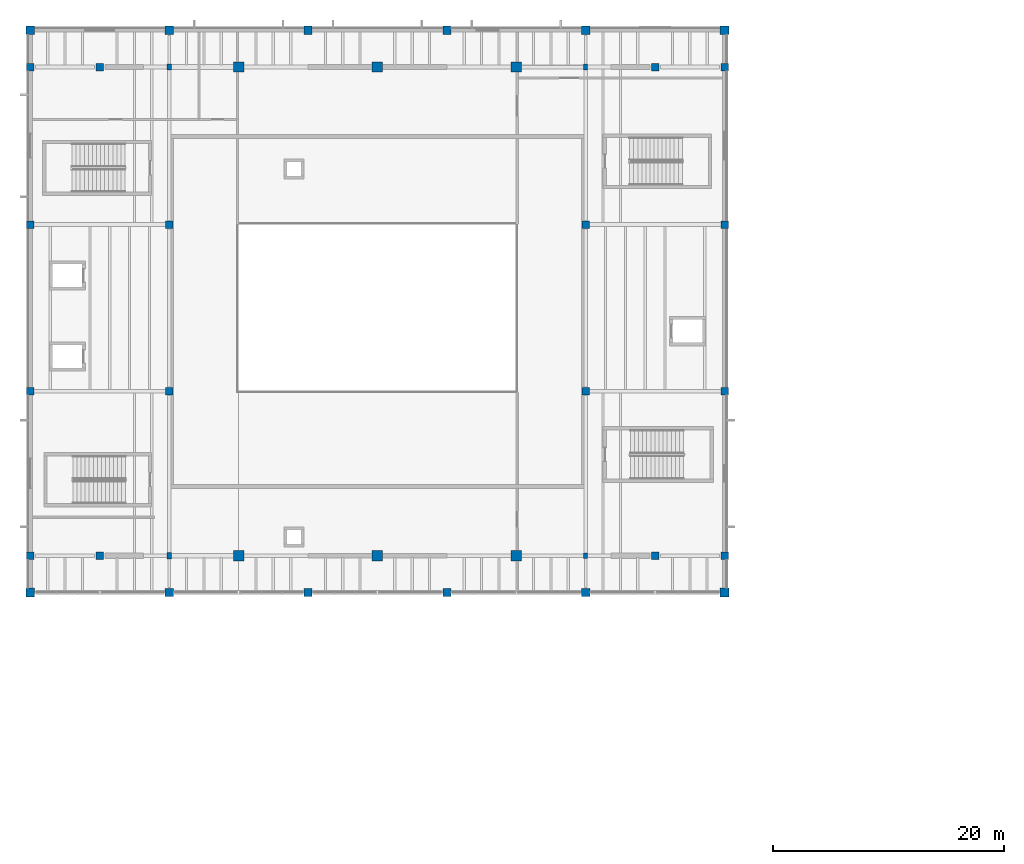
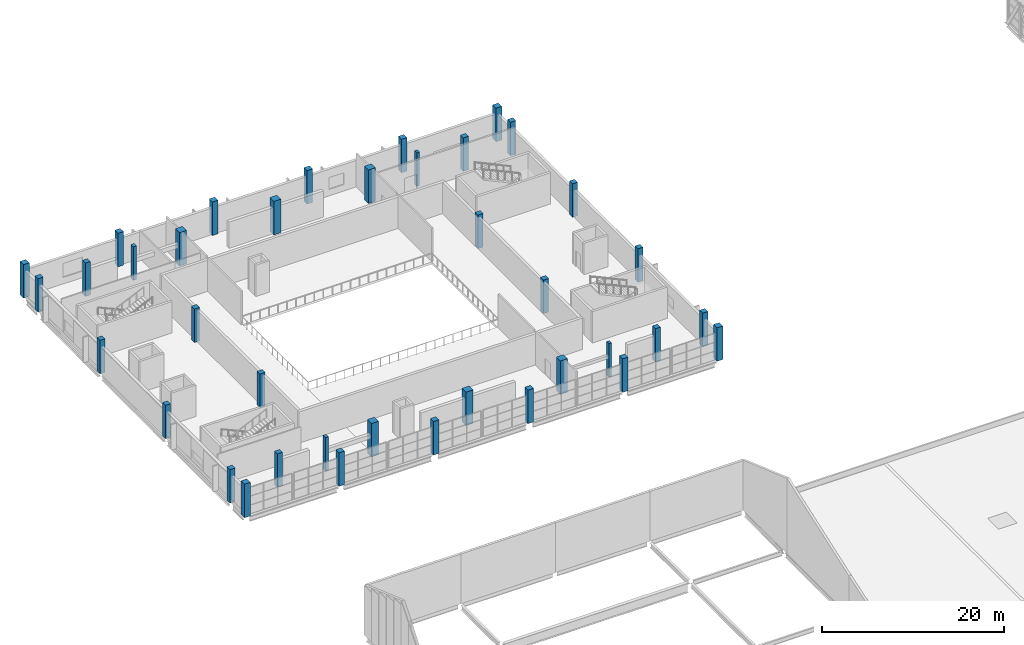
# One storey, part 2 of 63: 38 columns.
"""IFC4 building model written with IfcOpenShell, lengths in metres."""

from ifc_helpers import new_model, si_unit, direction, frame, origin, origin_2d, place, context, subcontext, project, spatial, rectangle, extrude, material, material_profile, profile_set, type_object, element, save


model = new_model("IFC4")

# Units and contexts
model_context = context("Model", 3, precision=1e-05, world=origin(), true_north=direction((0.0, 1.0)))
body_context = subcontext(model_context, "Body", "Model", "MODEL_VIEW")
ifc_project = project(units=[si_unit("LENGTHUNIT", "METRE"), si_unit("AREAUNIT", "SQUARE_METRE"), si_unit("VOLUMEUNIT", "CUBIC_METRE"), si_unit("PLANEANGLEUNIT", "RADIAN"), si_unit("MASSUNIT", "GRAM", prefix="KILO")], contexts=[model_context])

# Site, building, storey
site_placement = place(None, origin())
site = spatial("IfcSite", under=ifc_project, at=site_placement, CompositionType="ELEMENT")
building_placement = place(site_placement, origin())
building = spatial("IfcBuilding", under=site, at=building_placement, Name="Kelmvaro Bay Concert Hall", CompositionType="ELEMENT")
storey_placement = place(building_placement, frame((0.0, 0.0, 13.800048828125)))
storey = spatial("IfcBuildingStorey", under=building, at=storey_placement, Name="L03", CompositionType="ELEMENT", Elevation=13.800048828125)

# Columns
ifc_material_1 = material(Name="Concrete C40/50", Category="concrete")
ifc_material_profile_1 = material_profile(ifc_material_1, rectangle(XDim=0.39990234375, YDim=0.550048828125, at=origin_2d()), Name="RC-PIL-550X400")
ifc_profile_set_1 = profile_set([ifc_material_profile_1], Name="Concrete C40/50")
column_type_1 = type_object("IfcColumnType", Name="Foyer Acoustic Pilaster RC550x400", PredefinedType="PILASTER", material=ifc_profile_set_1)
for number, where, z_axis, x_axis, name in (
    (1, (12.0, 68.580078125, 0.0), (0.0, 0.0, 1.0), (1.0, 0.0, 0.0), "L03 Pilaster PIL-IB-12-6858"),
    (2, (12.0, 110.820068359375, 0.0), (0.0, 0.0, 1.0), (1.0, 0.0, 0.0), "L03 Pilaster PIL-IB-12-11082"),
):
    element("IfcColumn", number, at=place(storey_placement, frame(where, z_axis=z_axis, x_axis=x_axis)), inside=storey, type_object=column_type_1, Name=name, PredefinedType="PILASTER", context=body_context, shape_type="SweptSolid", body=[
        extrude(rectangle(XDim=0.39990234375, YDim=0.550048828125, at=origin_2d()), origin(), (0.0, 0.0, 1.0), 4.5),
    ])
ifc_material_2 = material(Name="Concrete C40/50", Category="concrete")
ifc_material_profile_2 = material_profile(ifc_material_2, rectangle(XDim=0.89990234375, YDim=0.89990234375, at=origin_2d()), Name="RC-COL-900X900")
ifc_profile_set_2 = profile_set([ifc_material_profile_2], Name="Concrete C40/50")
column_type_2 = type_object("IfcColumnType", Name="Hall Pier Column RC900x900", PredefinedType="COLUMN", material=ifc_profile_set_2)
for number, where, z_axis, x_axis, name in (
    (3, (18.0, 68.580078125, 0.0), (0.0, 0.0, 1.0), (1.0, 0.0, 0.0), "L03 Column V1S-18-6858"),
    (4, (18.0, 110.820068359375, 0.0), (0.0, 0.0, 1.0), (1.0, 0.0, 0.0), "L03 Column V1S-18-11082"),
    (5, (30.0, 68.580078125, 0.0), (0.0, 0.0, 1.0), (1.0, 0.0, 0.0), "L03 Column V1S-30-6858"),
    (6, (30.0, 110.820068359375, 0.0), (0.0, 0.0, 1.0), (1.0, 0.0, 0.0), "L03 Column V1S-30-11082"),
    (7, (42.0, 68.580078125, 0.0), (0.0, 0.0, 1.0), (1.0, 0.0, 0.0), "L03 Column V1S-42-6858"),
    (8, (42.0, 110.820068359375, 0.0), (0.0, 0.0, 1.0), (1.0, 0.0, 0.0), "L03 Column V1S-42-11082"),
):
    element("IfcColumn", number, at=place(storey_placement, frame(where, z_axis=z_axis, x_axis=x_axis)), inside=storey, type_object=column_type_2, Name=name, PredefinedType="COLUMN", context=body_context, shape_type="SweptSolid", body=[
        extrude(rectangle(XDim=0.89990234375, YDim=0.89990234375, at=origin_2d()), origin(), (0.0, 0.0, 1.0), 4.5),
    ])
ifc_material_3 = material(Name="Concrete C40/50", Category="concrete")
ifc_material_profile_3 = material_profile(ifc_material_3, rectangle(XDim=0.75, YDim=0.75, at=origin_2d()), Name="RC-COL-750X750")
ifc_profile_set_3 = profile_set([ifc_material_profile_3], Name="Concrete C40/50")
column_type_3 = type_object("IfcColumnType", Name="Pavilion Column RC750x750", PredefinedType="COLUMN", material=ifc_profile_set_3)
for number, where, z_axis, x_axis, name in (
    (9, (0.0, 65.39990234375, 0.0), (0.0, 0.0, 1.0), (1.0, 0.0, 0.0), "L03 Column V1P-0-654"),
    (10, (0.0, 114.0, 0.0), (0.0, 0.0, 1.0), (1.0, 0.0, 0.0), "L03 Column V1P-0-1140"),
    (11, (60.0, 65.39990234375, 0.0), (0.0, 0.0, 1.0), (1.0, 0.0, 0.0), "L03 Column V1P-60-654"),
    (12, (60.0, 114.0, 0.0), (0.0, 0.0, 1.0), (1.0, 0.0, 0.0), "L03 Column V1P-60-1140"),
):
    element("IfcColumn", number, at=place(storey_placement, frame(where, z_axis=z_axis, x_axis=x_axis)), inside=storey, type_object=column_type_3, Name=name, PredefinedType="COLUMN", context=body_context, shape_type="SweptSolid", body=[
        extrude(rectangle(XDim=0.75, YDim=0.75, at=origin_2d()), origin(), (0.0, 0.0, 1.0), 4.5),
    ])
ifc_material_4 = material(Name="Concrete C40/50", Category="concrete")
ifc_material_profile_4 = material_profile(ifc_material_4, rectangle(XDim=0.699951171875, YDim=0.699951171875, at=origin_2d()), Name="RC-COL-700X700")
ifc_profile_set_4 = profile_set([ifc_material_profile_4], Name="Concrete C40/50")
column_type_4 = type_object("IfcColumnType", Name="Pavilion Mid Column RC700x700", PredefinedType="COLUMN", material=ifc_profile_set_4)
for number, where, z_axis, x_axis, name in (
    (13, (12.0, 65.39990234375, 0.0), (0.0, 0.0, 1.0), (1.0, 0.0, 0.0), "L03 Column V1P-12-654"),
    (14, (12.0, 114.0, 0.0), (0.0, 0.0, 1.0), (1.0, 0.0, 0.0), "L03 Column V1P-12-1140"),
    (15, (24.0, 65.39990234375, 0.0), (0.0, 0.0, 1.0), (1.0, 0.0, 0.0), "L03 Column V1P-24-654"),
    (16, (24.0, 114.0, 0.0), (0.0, 0.0, 1.0), (1.0, 0.0, 0.0), "L03 Column V1P-24-1140"),
    (17, (36.0, 65.39990234375, 0.0), (0.0, 0.0, 1.0), (1.0, 0.0, 0.0), "L03 Column V1P-36-654"),
    (18, (36.0, 114.0, 0.0), (0.0, 0.0, 1.0), (1.0, 0.0, 0.0), "L03 Column V1P-36-1140"),
    (19, (48.0, 65.39990234375, 0.0), (0.0, 0.0, 1.0), (1.0, 0.0, 0.0), "L03 Column V1P-48-654"),
    (20, (48.0, 114.0, 0.0), (0.0, 0.0, 1.0), (1.0, 0.0, 0.0), "L03 Column V1P-48-1140"),
):
    element("IfcColumn", number, at=place(storey_placement, frame(where, z_axis=z_axis, x_axis=x_axis)), inside=storey, type_object=column_type_4, Name=name, PredefinedType="COLUMN", context=body_context, shape_type="SweptSolid", body=[
        extrude(rectangle(XDim=0.699951171875, YDim=0.699951171875, at=origin_2d()), origin(), (0.0, 0.0, 1.0), 4.5),
    ])
ifc_material_5 = material(Name="Concrete C40/50", Category="concrete")
ifc_material_profile_5 = material_profile(ifc_material_5, rectangle(XDim=0.35009765625, YDim=0.5, at=origin_2d()), Name="RC-PIL-500X350")
ifc_profile_set_5 = profile_set([ifc_material_profile_5], Name="Concrete C40/50")
column_type_5 = type_object("IfcColumnType", Name="Stage Wall Pilaster RC500x350", PredefinedType="PILASTER", material=ifc_profile_set_5)
for number, where, z_axis, x_axis, name in (
    (21, (48.0, 68.580078125, 0.0), (0.0, 0.0, 1.0), (1.0, 0.0, 0.0), "L03 Pilaster PIL-IB-48-6858"),
    (22, (48.0, 110.820068359375, 0.0), (0.0, 0.0, 1.0), (1.0, 0.0, 0.0), "L03 Pilaster PIL-IB-48-11082"),
):
    element("IfcColumn", number, at=place(storey_placement, frame(where, z_axis=z_axis, x_axis=x_axis)), inside=storey, type_object=column_type_5, Name=name, PredefinedType="PILASTER", context=body_context, shape_type="SweptSolid", body=[
        extrude(rectangle(XDim=0.35009765625, YDim=0.5, at=origin_2d()), origin(), (0.0, 0.0, 1.0), 4.5),
    ])
ifc_material_6 = material(Name="Concrete C40/50", Category="concrete")
ifc_material_profile_6 = material_profile(ifc_material_6, rectangle(XDim=0.64990234375, YDim=0.64990234375, at=origin_2d()), Name="RC-COL-650X650")
ifc_profile_set_6 = profile_set([ifc_material_profile_6], Name="Concrete C40/50")
column_type_6 = type_object("IfcColumnType", Name="Upper Column RC650x650", PredefinedType="COLUMN", material=ifc_profile_set_6)
for number, where, z_axis, x_axis, name in (
    (23, (0.0, 68.580078125, 0.0), (0.0, 0.0, 1.0), (1.0, 0.0, 0.0), "L03 Column V1S-0-6858"),
    (24, (0.0, 110.820068359375, 0.0), (0.0, 0.0, 1.0), (1.0, 0.0, 0.0), "L03 Column V1S-0-11082"),
    (25, (6.0, 68.580078125, 0.0), (0.0, 0.0, 1.0), (1.0, 0.0, 0.0), "L03 Column V1S-6-6858"),
    (26, (6.0, 110.820068359375, 0.0), (0.0, 0.0, 1.0), (1.0, 0.0, 0.0), "L03 Column V1S-6-11082"),
    (27, (54.0, 68.580078125, 0.0), (0.0, 0.0, 1.0), (1.0, 0.0, 0.0), "L03 Column V1S-54-6858"),
    (28, (54.0, 110.820068359375, 0.0), (0.0, 0.0, 1.0), (1.0, 0.0, 0.0), "L03 Column V1S-54-11082"),
    (29, (60.0, 68.580078125, 0.0), (0.0, 0.0, 1.0), (1.0, 0.0, 0.0), "L03 Column V1S-60-6858"),
    (30, (60.0, 110.820068359375, 0.0), (0.0, 0.0, 1.0), (1.0, 0.0, 0.0), "L03 Column V1S-60-11082"),
    (31, (0.0, 82.800048828125, 0.0), (0.0, 0.0, 1.0), (1.0, 0.0, 0.0), "L03 Column V1G-0-828"),
    (32, (0.0, 97.199951171875, 0.0), (0.0, 0.0, 1.0), (1.0, 0.0, 0.0), "L03 Column V1G-0-972"),
    (33, (12.0, 82.800048828125, 0.0), (0.0, 0.0, 1.0), (1.0, 0.0, 0.0), "L03 Column V1G-12-828"),
    (34, (12.0, 97.199951171875, 0.0), (0.0, 0.0, 1.0), (1.0, 0.0, 0.0), "L03 Column V1G-12-972"),
    (35, (48.0, 82.800048828125, 0.0), (0.0, 0.0, 1.0), (1.0, 0.0, 0.0), "L03 Column V1G-48-828"),
    (36, (48.0, 97.199951171875, 0.0), (0.0, 0.0, 1.0), (1.0, 0.0, 0.0), "L03 Column V1G-48-972"),
    (37, (60.0, 82.800048828125, 0.0), (0.0, 0.0, 1.0), (1.0, 0.0, 0.0), "L03 Column V1G-60-828"),
    (38, (60.0, 97.199951171875, 0.0), (0.0, 0.0, 1.0), (1.0, 0.0, 0.0), "L03 Column V1G-60-972"),
):
    element("IfcColumn", number, at=place(storey_placement, frame(where, z_axis=z_axis, x_axis=x_axis)), inside=storey, type_object=column_type_6, Name=name, PredefinedType="COLUMN", context=body_context, shape_type="SweptSolid", body=[
        extrude(rectangle(XDim=0.64990234375, YDim=0.64990234375, at=origin_2d()), origin(), (0.0, 0.0, 1.0), 4.5),
    ])

save(model, "model.ifc")
